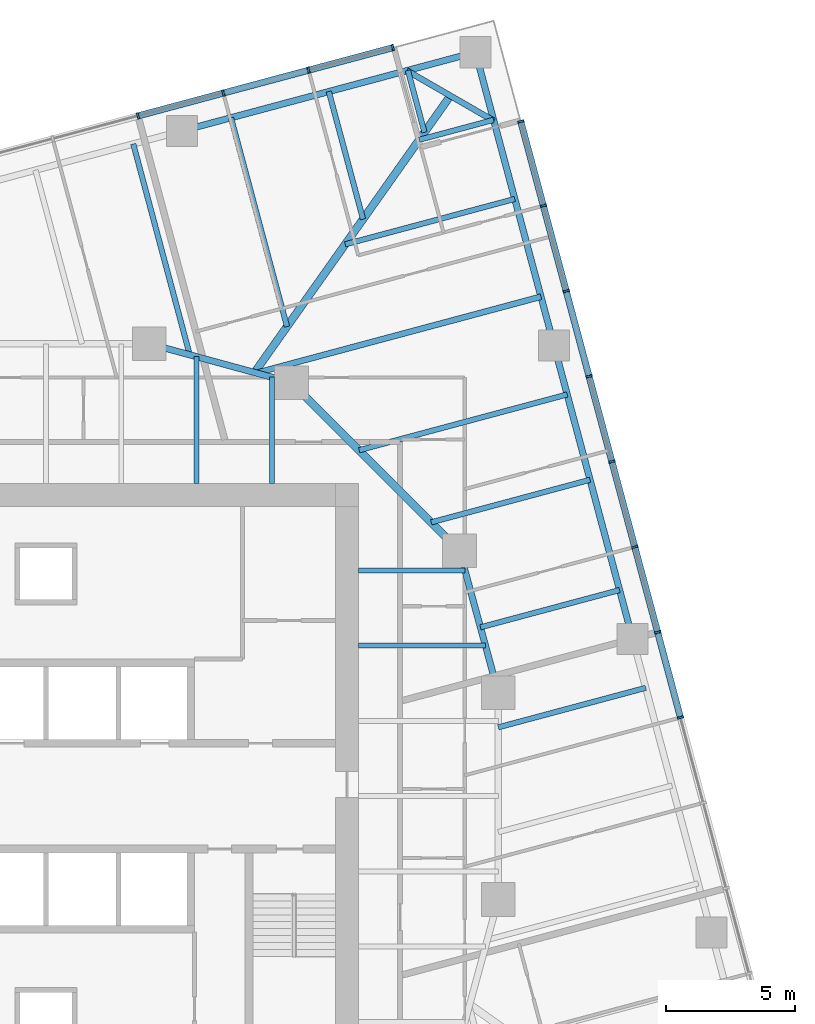
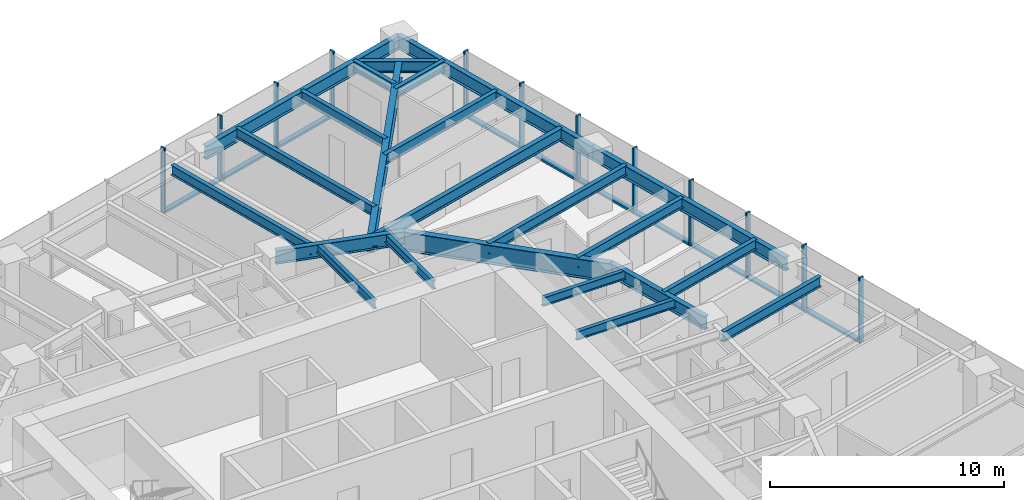
# One storey, part 6 of 14: 23 beams, 22 members, 2 elements without a shape of their own.
"""IFC4 building model written with IfcOpenShell, lengths in metres."""

from ifc_helpers import new_model, si_unit, direction, frame, origin, origin_2d, place, context, subcontext, project, spatial, rectangle, i_section, extrude, material, material_profile, profile_set, type_object, element, aggregate, save


model = new_model("IFC4")

# Units and contexts
model_context = context("Model", 3, precision=1e-05, world=origin(), true_north=direction((0.0, 1.0)))
body_context = subcontext(model_context, "Body", "Model", "MODEL_VIEW")
ifc_project = project(units=[si_unit("LENGTHUNIT", "METRE"), si_unit("AREAUNIT", "SQUARE_METRE"), si_unit("VOLUMEUNIT", "CUBIC_METRE"), si_unit("PLANEANGLEUNIT", "RADIAN"), si_unit("MASSUNIT", "GRAM", prefix="KILO")], contexts=[model_context])

# Site, building, storey
site_placement = place(None, origin())
site = spatial("IfcSite", under=ifc_project, at=site_placement, CompositionType="ELEMENT")
building_placement = place(site_placement, origin())
building = spatial("IfcBuilding", under=site, at=building_placement, Name="Torsade Residences", CompositionType="ELEMENT")
storey_placement = place(building_placement, frame((0.0, 0.0, 125.199951171875)))
storey = spatial("IfcBuildingStorey", under=building, at=storey_placement, Name="L34", CompositionType="ELEMENT", Elevation=125.199951171875)

# Beams
ifc_material_1 = material(Name="Steel grade 300", Category="steel")
ifc_material_profile_1 = material_profile(ifc_material_1, i_section(OverallWidth=0.300048828125, OverallDepth=0.89990234375, WebThickness=0.011962890625, FlangeThickness=0.02490234375, at=origin_2d()), Name="900WB175")
ifc_profile_set_1 = profile_set([ifc_material_profile_1], Name="Steel grade 300")
beam_type_1 = type_object("IfcBeamType", Name="CORNER GIRDER 900WB175", PredefinedType="BEAM", material=ifc_profile_set_1)
beam_1_placement = place(storey_placement, frame((55.644775390625, 57.097412109375, 2.800048828125), z_axis=(-0.577683167004, -0.816261084801, 0.0), x_axis=(0.816261084801, -0.577683167004, 0.0)))
element("IfcBeam", 1, at=beam_1_placement, inside=storey, type_object=beam_type_1, Name="Corner girder 09 L35", PredefinedType="BEAM", context=body_context, shape_type="SweptSolid", body=[
    extrude(i_section(OverallWidth=0.300048828125, OverallDepth=0.89990234375, WebThickness=0.011962890625, FlangeThickness=0.02490234375, at=origin_2d()), origin(), (0.0, 0.0, 1.0), 13.116943359375),
])
ifc_material_2 = material(Name="Steel grade 300", Category="steel")
ifc_material_profile_2 = material_profile(ifc_material_2, i_section(OverallWidth=0.22802734375, OverallDepth=0.60205078125, WebThickness=0.010498046875, FlangeThickness=0.014892578125, FilletRadius=0.013916015625, at=origin_2d()), Name="610UB101")
ifc_profile_set_2 = profile_set([ifc_material_profile_2], Name="Steel grade 300")
beam_type_2 = type_object("IfcBeamType", Name="CORNER TRIMMER 610UB101", PredefinedType="BEAM", material=ifc_profile_set_2)
beam_2_placement = place(storey_placement, frame((53.960693359375, 58.06982421875, 2.948974609375), z_axis=(0.866028782848, -0.499994147244, 0.0), x_axis=(0.499994147244, 0.866028782848, 0.0)))
element("IfcBeam", 2, at=beam_2_placement, inside=storey, type_object=beam_type_2, Name="Corner trimmer 09 L35", PredefinedType="BEAM", context=body_context, shape_type="SweptSolid", body=[
    extrude(i_section(OverallWidth=0.22802734375, OverallDepth=0.60205078125, WebThickness=0.010498046875, FlangeThickness=0.014892578125, FilletRadius=0.013916015625, at=origin_2d()), origin(), (0.0, 0.0, 1.0), 3.88916015625),
])
ifc_material_3 = material(Name="Steel grade 300", Category="steel")
ifc_material_profile_3 = material_profile(ifc_material_3, i_section(OverallWidth=0.25, OverallDepth=0.699951171875, WebThickness=0.010009765625, FlangeThickness=0.02001953125, at=origin_2d()), Name="700WB130")
ifc_profile_set_3 = profile_set([ifc_material_profile_3], Name="Steel grade 300")
beam_type_3 = type_object("IfcBeamType", Name="EDGE BEAM 700WB130", PredefinedType="SPANDREL", material=ifc_profile_set_3)
for number, where, z_axis, x_axis, name in (
    (3, (62.69921875, 36.082275390625, 2.900146484375), (-0.258810863021, 0.965928018634, 0.0), (-0.965928018634, -0.258810863021, 0.0), "Edge beam 07 L35"),
    (4, (59.658203125, 47.431884765625, 2.900146484375), (-0.258830249097, 0.965922824118, 0.0), (-0.965922824118, -0.258830249097, 0.0), "Edge beam 08 L35"),
    (5, (56.616943359375, 58.781494140625, 2.900146484375), (-0.965928018634, -0.258810863021, 0.0), (0.258810863021, -0.965928018634, 0.0), "Edge beam 09 L35"),
):
    element("IfcBeam", number, at=place(storey_placement, frame(where, z_axis=z_axis, x_axis=x_axis)), inside=storey, type_object=beam_type_3, Name=name, PredefinedType="SPANDREL", context=body_context, shape_type="SweptSolid", body=[
        extrude(i_section(OverallWidth=0.25, OverallDepth=0.699951171875, WebThickness=0.010009765625, FlangeThickness=0.02001953125, at=origin_2d()), origin(), (0.0, 0.0, 1.0), 11.75),
    ])
ifc_material_4 = material(Name="Steel grade 300", Category="steel")
ifc_material_profile_4 = material_profile(ifc_material_4, i_section(OverallWidth=0.18994140625, OverallDepth=0.4541015625, WebThickness=0.008544921875, FlangeThickness=0.0126953125, FilletRadius=0.011474609375, at=origin_2d()), Name="460UB67.1")
ifc_profile_set_4 = profile_set([ifc_material_profile_4], Name="Steel grade 300")
beam_type_4 = type_object("IfcBeamType", Name="INNER FLOOR BEAM 460UB67.1", PredefinedType="JOIST", material=ifc_profile_set_4)
beam_3_placement = place(storey_placement, frame((45.824951171875, 42.10009765625, 3.02294921875), z_axis=(0.0, 1.0, 0.0), x_axis=(-1.0, 0.0, 0.0)))
element("IfcBeam", 6, at=beam_3_placement, inside=storey, type_object=beam_type_4, Name="Inner floor beam IN06 L35", PredefinedType="JOIST", context=body_context, shape_type="SweptSolid", body=[
    extrude(i_section(OverallWidth=0.18994140625, OverallDepth=0.4541015625, WebThickness=0.008544921875, FlangeThickness=0.0126953125, FilletRadius=0.011474609375, at=origin_2d()), origin(), (0.0, 0.0, 1.0), 4.902099609375),
])
beam_4_placement = place(storey_placement, frame((48.737548828125, 42.10009765625, 3.02294921875), z_axis=(0.0, 1.0, 0.0), x_axis=(-1.0, 0.0, 0.0)))
element("IfcBeam", 7, at=beam_4_placement, inside=storey, type_object=beam_type_4, Name="Inner floor beam IN07 L35", PredefinedType="JOIST", context=body_context, shape_type="SweptSolid", body=[
    extrude(i_section(OverallWidth=0.18994140625, OverallDepth=0.4541015625, WebThickness=0.008544921875, FlangeThickness=0.0126953125, FilletRadius=0.011474609375, at=origin_2d()), origin(), (0.0, 0.0, 1.0), 4.10791015625),
])
beam_5_placement = place(storey_placement, frame((52.10009765625, 35.824951171875, 3.02294921875), z_axis=(1.0, 0.0, 0.0), x_axis=(0.0, 1.0, 0.0)))
element("IfcBeam", 8, at=beam_5_placement, inside=storey, type_object=beam_type_4, Name="Inner floor beam IE06 L35", PredefinedType="JOIST", context=body_context, shape_type="SweptSolid", body=[
    extrude(i_section(OverallWidth=0.18994140625, OverallDepth=0.4541015625, WebThickness=0.008544921875, FlangeThickness=0.0126953125, FilletRadius=0.011474609375, at=origin_2d()), origin(), (0.0, 0.0, 1.0), 4.902099609375),
])
beam_6_placement = place(storey_placement, frame((52.10009765625, 38.737548828125, 3.02294921875), z_axis=(1.0, 0.0, 0.0), x_axis=(0.0, 1.0, 0.0)))
element("IfcBeam", 9, at=beam_6_placement, inside=storey, type_object=beam_type_4, Name="Inner floor beam IE07 L35", PredefinedType="JOIST", context=body_context, shape_type="SweptSolid", body=[
    extrude(i_section(OverallWidth=0.18994140625, OverallDepth=0.4541015625, WebThickness=0.008544921875, FlangeThickness=0.0126953125, FilletRadius=0.011474609375, at=origin_2d()), origin(), (0.0, 0.0, 1.0), 4.10791015625),
])

# Curtain wall, members
ifc_material_5 = material(Name="Aluminium and glass", Category="aluminium")
curtain_wall_type = type_object("IfcCurtainWallType", Name="FRITTED GLASS CURTAIN WALL MID ZONE", PredefinedType="NOTDEFINED", material=ifc_material_5)
curtain_wall_1_placement = place(storey_placement, origin())
curtain_wall_1 = element("IfcCurtainWall", 10, at=curtain_wall_1_placement, inside=storey, type_object=curtain_wall_type, Name="Curtain wall L34 face 4", PredefinedType="NOTDEFINED")
ifc_material_6 = material(Name="Aluminium mullion", Category="aluminium")
ifc_material_profile_5 = material_profile(ifc_material_6, rectangle(XDim=0.25, YDim=0.080078125, at=origin_2d()), Name="MID ZONE CURTAIN WALL MULLION 250x80")
ifc_profile_set_5 = profile_set([ifc_material_profile_5], Name="Aluminium mullion")
member_type_1 = type_object("IfcMemberType", Name="MID ZONE CURTAIN WALL MULLION 250x80", PredefinedType="MULLION", material=ifc_profile_set_5)
member_1_placement = place(storey_placement, frame((64.549560546875, 33.040771484375, 0.0), z_axis=(0.0, 0.0, 1.0), x_axis=(-0.965925825571, -0.258819047783, 0.0)))
member_1 = element("IfcMember", 11, at=member_1_placement, type_object=member_type_1, Name="Mullion 6", PredefinedType="MULLION", context=body_context, shape_type="SweptSolid", body=[
    extrude(rectangle(XDim=0.25, YDim=0.080078125, at=origin_2d()), origin(), (0.0, 0.0, 1.0), 3.400146484375),
])
member_2_placement = place(storey_placement, frame((63.665283203125, 36.341064453125, 0.0), z_axis=(0.0, 0.0, 1.0), x_axis=(-0.965925825571, -0.258819047783, 0.0)))
member_2 = element("IfcMember", 12, at=member_2_placement, type_object=member_type_1, Name="Mullion 7", PredefinedType="MULLION", context=body_context, shape_type="SweptSolid", body=[
    extrude(rectangle(XDim=0.25, YDim=0.080078125, at=origin_2d()), origin(), (0.0, 0.0, 1.0), 3.400146484375),
])
member_3_placement = place(storey_placement, frame((62.781005859375, 39.641357421875, 0.0), z_axis=(0.0, 0.0, 1.0), x_axis=(-0.965925825571, -0.258819047783, 0.0)))
member_3 = element("IfcMember", 13, at=member_3_placement, type_object=member_type_1, Name="Mullion 8", PredefinedType="MULLION", context=body_context, shape_type="SweptSolid", body=[
    extrude(rectangle(XDim=0.25, YDim=0.080078125, at=origin_2d()), origin(), (0.0, 0.0, 1.0), 3.400146484375),
])
member_4_placement = place(storey_placement, frame((61.896484375, 42.941650390625, 0.0), z_axis=(0.0, 0.0, 1.0), x_axis=(-0.965925825571, -0.258819047783, 0.0)))
member_4 = element("IfcMember", 14, at=member_4_placement, type_object=member_type_1, Name="Mullion 9", PredefinedType="MULLION", context=body_context, shape_type="SweptSolid", body=[
    extrude(rectangle(XDim=0.25, YDim=0.080078125, at=origin_2d()), origin(), (0.0, 0.0, 1.0), 3.400146484375),
])
member_5_placement = place(storey_placement, frame((61.01220703125, 46.24169921875, 0.0), z_axis=(0.0, 0.0, 1.0), x_axis=(-0.965925825571, -0.258819047783, 0.0)))
member_5 = element("IfcMember", 15, at=member_5_placement, type_object=member_type_1, Name="Mullion 10", PredefinedType="MULLION", context=body_context, shape_type="SweptSolid", body=[
    extrude(rectangle(XDim=0.25, YDim=0.080078125, at=origin_2d()), origin(), (0.0, 0.0, 1.0), 3.400146484375),
])
member_6_placement = place(storey_placement, frame((60.1279296875, 49.5419921875, 0.0), z_axis=(0.0, 0.0, 1.0), x_axis=(-0.965925825571, -0.258819047783, 0.0)))
member_6 = element("IfcMember", 16, at=member_6_placement, type_object=member_type_1, Name="Mullion 11", PredefinedType="MULLION", context=body_context, shape_type="SweptSolid", body=[
    extrude(rectangle(XDim=0.25, YDim=0.080078125, at=origin_2d()), origin(), (0.0, 0.0, 1.0), 3.400146484375),
])
member_7_placement = place(storey_placement, frame((59.24365234375, 52.84228515625, 0.0), z_axis=(0.0, 0.0, 1.0), x_axis=(-0.965925825571, -0.258819047783, 0.0)))
member_7 = element("IfcMember", 17, at=member_7_placement, type_object=member_type_1, Name="Mullion 12", PredefinedType="MULLION", context=body_context, shape_type="SweptSolid", body=[
    extrude(rectangle(XDim=0.25, YDim=0.080078125, at=origin_2d()), origin(), (0.0, 0.0, 1.0), 3.400146484375),
])
member_8_placement = place(storey_placement, frame((58.36962890625, 56.10400390625, 0.0), z_axis=(0.0, 0.0, 1.0), x_axis=(-0.965925825571, -0.258819047783, 0.0)))
member_8 = element("IfcMember", 18, at=member_8_placement, type_object=member_type_1, Name="Mullion 13", PredefinedType="MULLION", context=body_context, shape_type="SweptSolid", body=[
    extrude(rectangle(XDim=0.25, YDim=0.080078125, at=origin_2d()), origin(), (0.0, 0.0, 1.0), 3.400146484375),
])

curtain_wall_2_placement = place(storey_placement, origin())
curtain_wall_2 = element("IfcCurtainWall", 19, at=curtain_wall_2_placement, inside=storey, type_object=curtain_wall_type, Name="Curtain wall L34 face 7", PredefinedType="NOTDEFINED")
member_9_placement = place(storey_placement, frame((53.421875, 58.960693359375, 0.0), z_axis=(0.0, 0.0, 1.0), x_axis=(0.258819047783, -0.965925825571, 0.0)))
member_9 = element("IfcMember", 20, at=member_9_placement, type_object=member_type_1, Name="Mullion 1", PredefinedType="MULLION", context=body_context, shape_type="SweptSolid", body=[
    extrude(rectangle(XDim=0.25, YDim=0.080078125, at=origin_2d()), origin(), (0.0, 0.0, 1.0), 3.400146484375),
])
member_10_placement = place(storey_placement, frame((50.16015625, 58.086669921875, 0.0), z_axis=(0.0, 0.0, 1.0), x_axis=(0.258819047783, -0.965925825571, 0.0)))
member_10 = element("IfcMember", 21, at=member_10_placement, type_object=member_type_1, Name="Mullion 2", PredefinedType="MULLION", context=body_context, shape_type="SweptSolid", body=[
    extrude(rectangle(XDim=0.25, YDim=0.080078125, at=origin_2d()), origin(), (0.0, 0.0, 1.0), 3.400146484375),
])
member_11_placement = place(storey_placement, frame((46.85986328125, 57.202392578125, 0.0), z_axis=(0.0, 0.0, 1.0), x_axis=(0.258819047783, -0.965925825571, 0.0)))
member_11 = element("IfcMember", 22, at=member_11_placement, type_object=member_type_1, Name="Mullion 3", PredefinedType="MULLION", context=body_context, shape_type="SweptSolid", body=[
    extrude(rectangle(XDim=0.25, YDim=0.080078125, at=origin_2d()), origin(), (0.0, 0.0, 1.0), 3.400146484375),
])
member_12_placement = place(storey_placement, frame((43.5595703125, 56.318115234375, 0.0), z_axis=(0.0, 0.0, 1.0), x_axis=(0.258819047783, -0.965925825571, 0.0)))
member_12 = element("IfcMember", 23, at=member_12_placement, type_object=member_type_1, Name="Mullion 4", PredefinedType="MULLION", context=body_context, shape_type="SweptSolid", body=[
    extrude(rectangle(XDim=0.25, YDim=0.080078125, at=origin_2d()), origin(), (0.0, 0.0, 1.0), 3.400146484375),
])

# Member
ifc_material_7 = material(Name="Aluminium transom", Category="aluminium")
ifc_material_profile_6 = material_profile(ifc_material_7, rectangle(XDim=0.25, YDim=0.110107421875, at=origin_2d()), Name="MID ZONE CURTAIN WALL TRANSOM 250x110")
ifc_profile_set_6 = profile_set([ifc_material_profile_6], Name="Aluminium transom")
member_type_2 = type_object("IfcMemberType", Name="MID ZONE CURTAIN WALL TRANSOM 250x110", PredefinedType="USERDEFINED", material=ifc_profile_set_6)
member_13_placement = place(storey_placement, frame((64.5390625, 33.079345703125, 0.054931640625), z_axis=(-0.258787285653, 0.965934335648, 0.0), x_axis=(-0.965934335648, -0.258787285653, 0.0)))
member_13 = element("IfcMember", 24, at=member_13_placement, type_object=member_type_2, Name="Transom 6.1", ObjectType="TRANSOM", PredefinedType="USERDEFINED", context=body_context, shape_type="SweptSolid", body=[
    extrude(rectangle(XDim=0.25, YDim=0.110107421875, at=origin_2d()), origin(), (0.0, 0.0, 1.0), 3.3369140625),
])

member_14_placement = place(storey_placement, frame((63.65478515625, 36.379638671875, 0.054931640625), z_axis=(-0.258787285653, 0.965934335648, 0.0), x_axis=(-0.965934335648, -0.258787285653, 0.0)))
member_14 = element("IfcMember", 25, at=member_14_placement, type_object=member_type_2, Name="Transom 7.1", ObjectType="TRANSOM", PredefinedType="USERDEFINED", context=body_context, shape_type="SweptSolid", body=[
    extrude(rectangle(XDim=0.25, YDim=0.110107421875, at=origin_2d()), origin(), (0.0, 0.0, 1.0), 3.3369140625),
])

member_15_placement = place(storey_placement, frame((62.7705078125, 39.679931640625, 0.054931640625), z_axis=(-0.258805576255, 0.965929435155, 0.0), x_axis=(-0.965929435155, -0.258805576255, 0.0)))
member_15 = element("IfcMember", 26, at=member_15_placement, type_object=member_type_2, Name="Transom 8.1", ObjectType="TRANSOM", PredefinedType="USERDEFINED", context=body_context, shape_type="SweptSolid", body=[
    extrude(rectangle(XDim=0.25, YDim=0.110107421875, at=origin_2d()), origin(), (0.0, 0.0, 1.0), 3.336669921875),
])

member_16_placement = place(storey_placement, frame((61.88623046875, 42.980224609375, 0.054931640625), z_axis=(-0.258805576255, 0.965929435155, 0.0), x_axis=(-0.965929435155, -0.258805576255, 0.0)))
member_16 = element("IfcMember", 27, at=member_16_placement, type_object=member_type_2, Name="Transom 9.1", ObjectType="TRANSOM", PredefinedType="USERDEFINED", context=body_context, shape_type="SweptSolid", body=[
    extrude(rectangle(XDim=0.25, YDim=0.110107421875, at=origin_2d()), origin(), (0.0, 0.0, 1.0), 3.336669921875),
])

member_17_placement = place(storey_placement, frame((61.001953125, 46.280517578125, 0.054931640625), z_axis=(-0.258805576255, 0.965929435155, 0.0), x_axis=(-0.965929435155, -0.258805576255, 0.0)))
member_17 = element("IfcMember", 28, at=member_17_placement, type_object=member_type_2, Name="Transom 10.1", ObjectType="TRANSOM", PredefinedType="USERDEFINED", context=body_context, shape_type="SweptSolid", body=[
    extrude(rectangle(XDim=0.25, YDim=0.110107421875, at=origin_2d()), origin(), (0.0, 0.0, 1.0), 3.336669921875),
])

member_18_placement = place(storey_placement, frame((60.11767578125, 49.580810546875, 0.054931640625), z_axis=(-0.258805576255, 0.965929435155, 0.0), x_axis=(-0.965929435155, -0.258805576255, 0.0)))
member_18 = element("IfcMember", 29, at=member_18_placement, type_object=member_type_2, Name="Transom 11.1", ObjectType="TRANSOM", PredefinedType="USERDEFINED", context=body_context, shape_type="SweptSolid", body=[
    extrude(rectangle(XDim=0.25, YDim=0.110107421875, at=origin_2d()), origin(), (0.0, 0.0, 1.0), 3.336669921875),
])

member_19_placement = place(storey_placement, frame((59.2333984375, 52.880859375, 0.054931640625), z_axis=(-0.258828627534, 0.965923258633, 0.0), x_axis=(-0.965923258633, -0.258828627534, 0.0)))
member_19 = element("IfcMember", 30, at=member_19_placement, type_object=member_type_2, Name="Transom 12.1", ObjectType="TRANSOM", PredefinedType="USERDEFINED", context=body_context, shape_type="SweptSolid", body=[
    extrude(rectangle(XDim=0.25, YDim=0.110107421875, at=origin_2d()), origin(), (0.0, 0.0, 1.0), 3.296630859375),
])

aggregate(curtain_wall_1, [member_1, member_2, member_3, member_4, member_5, member_6, member_7, member_8, member_13, member_14, member_15, member_16, member_17, member_18, member_19])

member_20_placement = place(storey_placement, frame((53.383056640625, 58.9501953125, 0.054931640625), z_axis=(-0.965923258633, -0.258828627534, 0.0), x_axis=(0.258828627534, -0.965923258633, 0.0)))
member_20 = element("IfcMember", 31, at=member_20_placement, type_object=member_type_2, Name="Transom 1.1", ObjectType="TRANSOM", PredefinedType="USERDEFINED", context=body_context, shape_type="SweptSolid", body=[
    extrude(rectangle(XDim=0.25, YDim=0.110107421875, at=origin_2d()), origin(), (0.0, 0.0, 1.0), 3.296630859375),
])

member_21_placement = place(storey_placement, frame((50.12158203125, 58.076416015625, 0.054931640625), z_axis=(-0.965916044226, -0.258855549498, 0.0), x_axis=(0.258855549498, -0.965916044226, 0.0)))
member_21 = element("IfcMember", 32, at=member_21_placement, type_object=member_type_2, Name="Transom 2.1", ObjectType="TRANSOM", PredefinedType="USERDEFINED", context=body_context, shape_type="SweptSolid", body=[
    extrude(rectangle(XDim=0.25, YDim=0.110107421875, at=origin_2d()), origin(), (0.0, 0.0, 1.0), 3.3369140625),
])

member_22_placement = place(storey_placement, frame((46.8212890625, 57.192138671875, 0.054931640625), z_axis=(-0.96591114124, -0.258873844232, 0.0), x_axis=(0.258873844232, -0.96591114124, 0.0)))
member_22 = element("IfcMember", 33, at=member_22_placement, type_object=member_type_2, Name="Transom 3.1", ObjectType="TRANSOM", PredefinedType="USERDEFINED", context=body_context, shape_type="SweptSolid", body=[
    extrude(rectangle(XDim=0.25, YDim=0.110107421875, at=origin_2d()), origin(), (0.0, 0.0, 1.0), 3.336669921875),
])

aggregate(curtain_wall_2, [member_9, member_10, member_11, member_12, member_20, member_21, member_22])

# Beams
ifc_material_8 = material(Name="Steel grade 300", Category="steel")
ifc_material_profile_7 = material_profile(ifc_material_8, i_section(OverallWidth=0.300048828125, OverallDepth=1.0, WebThickness=0.01611328125, FlangeThickness=0.028076171875, at=origin_2d()), Name="1000WB215")
ifc_profile_set_7 = profile_set([ifc_material_profile_7], Name="Steel grade 300")
beam_type_5 = type_object("IfcBeamType", Name="RING CORNER GIRDER 1000WB215", PredefinedType="BEAM", material=ifc_profile_set_7)
beam_7_placement = place(storey_placement, frame((56.0, 39.5, 2.75), z_axis=(-0.707106781187, 0.707106781187, 0.0), x_axis=(-0.707106781187, -0.707106781187, 0.0)))
element("IfcBeam", 34, at=beam_7_placement, inside=storey, type_object=beam_type_5, Name="Ring girder IR03 L35", PredefinedType="BEAM", context=body_context, shape_type="SweptSolid", body=[
    extrude(i_section(OverallWidth=0.300048828125, OverallDepth=1.0, WebThickness=0.01611328125, FlangeThickness=0.028076171875, at=origin_2d()), origin(), (0.0, 0.0, 1.0), 9.1923828125),
])
ifc_material_9 = material(Name="Steel grade 300", Category="steel")
ifc_material_profile_8 = material_profile(ifc_material_9, i_section(OverallWidth=0.25, OverallDepth=0.699951171875, WebThickness=0.010009765625, FlangeThickness=0.02001953125, at=origin_2d()), Name="700WB130")
ifc_profile_set_8 = profile_set([ifc_material_profile_8], Name="Steel grade 300")
beam_type_6 = type_object("IfcBeamType", Name="RING GIRDER 700WB130", PredefinedType="BEAM", material=ifc_profile_set_8)
for number, where, z_axis, x_axis, name in (
    (35, (57.5, 34.0, 2.900146484375), (-0.263117405792, 0.964763821238, 0.0), (-0.964763821238, -0.263117405792, 0.0), "Ring girder IR02 L35"),
    (36, (49.5, 46.0, 2.900146484375), (-0.964763821238, 0.263117405792, 0.0), (-0.263117405792, -0.964763821238, 0.0), "Ring girder IR04 L35"),
):
    element("IfcBeam", number, at=place(storey_placement, frame(where, z_axis=z_axis, x_axis=x_axis)), inside=storey, type_object=beam_type_6, Name=name, PredefinedType="BEAM", context=body_context, shape_type="SweptSolid", body=[
        extrude(i_section(OverallWidth=0.25, OverallDepth=0.699951171875, WebThickness=0.010009765625, FlangeThickness=0.02001953125, at=origin_2d()), origin(), (0.0, 0.0, 1.0), 5.700927734375),
    ])
ifc_material_10 = material(Name="Steel grade 300", Category="steel")
ifc_material_profile_9 = material_profile(ifc_material_10, i_section(OverallWidth=0.208984375, OverallDepth=0.528076171875, WebThickness=0.009521484375, FlangeThickness=0.01318359375, FilletRadius=0.013916015625, at=origin_2d()), Name="530UB82.0")
ifc_profile_set_9 = profile_set([ifc_material_profile_9], Name="Steel grade 300")
beam_type_7 = type_object("IfcBeamType", Name="SECONDARY BEAM 530UB82.0", PredefinedType="JOIST", material=ifc_profile_set_9)
beam_8_placement = place(storey_placement, frame((63.2060546875, 34.190673828125, 2.986083984375), z_axis=(-0.965920748174, -0.258837996141, 0.0), x_axis=(0.258837996141, -0.965920748174, 0.0)))
element("IfcBeam", 37, at=beam_8_placement, inside=storey, type_object=beam_type_7, Name="Floor beam FE06 L35", PredefinedType="JOIST", context=body_context, shape_type="SweptSolid", body=[
    extrude(i_section(OverallWidth=0.208984375, OverallDepth=0.528076171875, WebThickness=0.009521484375, FlangeThickness=0.01318359375, FilletRadius=0.013916015625, at=origin_2d()), origin(), (0.0, 0.0, 1.0), 5.907470703125),
])
beam_9_placement = place(storey_placement, frame((62.1923828125, 37.973876953125, 2.986083984375), z_axis=(-0.965923020144, -0.258829517553, 0.0), x_axis=(0.258829517553, -0.965923020144, 0.0)))
element("IfcBeam", 38, at=beam_9_placement, inside=storey, type_object=beam_type_7, Name="Floor beam FE07 L35", PredefinedType="JOIST", context=body_context, shape_type="SweptSolid", body=[
    extrude(i_section(OverallWidth=0.208984375, OverallDepth=0.528076171875, WebThickness=0.009521484375, FlangeThickness=0.01318359375, FilletRadius=0.013916015625, at=origin_2d()), origin(), (0.0, 0.0, 1.0), 5.57275390625),
])
beam_10_placement = place(storey_placement, frame((61.04931640625, 42.239990234375, 2.986083984375), z_axis=(-0.965929717932, -0.258804520856, 0.0), x_axis=(0.258804520856, -0.965929717932, 0.0)))
element("IfcBeam", 39, at=beam_10_placement, inside=storey, type_object=beam_type_7, Name="Floor beam FE08 L35", PredefinedType="JOIST", context=body_context, shape_type="SweptSolid", body=[
    extrude(i_section(OverallWidth=0.208984375, OverallDepth=0.528076171875, WebThickness=0.009521484375, FlangeThickness=0.01318359375, FilletRadius=0.013916015625, at=origin_2d()), origin(), (0.0, 0.0, 1.0), 6.360107421875),
])
beam_11_placement = place(storey_placement, frame((60.1650390625, 45.540283203125, 2.986083984375), z_axis=(-0.96592202475, -0.258833232221, 0.0), x_axis=(0.258833232221, -0.96592202475, 0.0)))
element("IfcBeam", 40, at=beam_11_placement, inside=storey, type_object=beam_type_7, Name="Floor beam FE09 L35", PredefinedType="JOIST", context=body_context, shape_type="SweptSolid", body=[
    extrude(i_section(OverallWidth=0.208984375, OverallDepth=0.528076171875, WebThickness=0.009521484375, FlangeThickness=0.01318359375, FilletRadius=0.013916015625, at=origin_2d()), origin(), (0.0, 0.0, 1.0), 8.33251953125),
])
beam_12_placement = place(storey_placement, frame((58.137451171875, 53.106689453125, 2.986083984375), z_axis=(-0.965927035229, -0.258814533235, 0.0), x_axis=(0.258814533235, -0.965927035229, 0.0)))
element("IfcBeam", 41, at=beam_12_placement, inside=storey, type_object=beam_type_7, Name="Floor beam FE11 L35", PredefinedType="JOIST", context=body_context, shape_type="SweptSolid", body=[
    extrude(i_section(OverallWidth=0.208984375, OverallDepth=0.528076171875, WebThickness=0.009521484375, FlangeThickness=0.01318359375, FilletRadius=0.013916015625, at=origin_2d()), origin(), (0.0, 0.0, 1.0), 6.792724609375),
])
beam_13_placement = place(storey_placement, frame((57.31787109375, 56.16552734375, 2.986083984375), z_axis=(-0.965913310475, -0.258865750242, 0.0), x_axis=(0.258865750242, -0.965913310475, 0.0)))
element("IfcBeam", 42, at=beam_13_placement, inside=storey, type_object=beam_type_7, Name="Floor beam FE12 L35", PredefinedType="JOIST", context=body_context, shape_type="SweptSolid", body=[
    extrude(i_section(OverallWidth=0.208984375, OverallDepth=0.528076171875, WebThickness=0.009521484375, FlangeThickness=0.01318359375, FilletRadius=0.013916015625, at=origin_2d()), origin(), (0.0, 0.0, 1.0), 2.980224609375),
])
beam_14_placement = place(storey_placement, frame((54.0009765625, 58.08056640625, 2.986083984375), z_axis=(0.258837674225, -0.965920834438, 0.0), x_axis=(0.965920834438, 0.258837674225, 0.0)))
element("IfcBeam", 43, at=beam_14_placement, inside=storey, type_object=beam_type_7, Name="Floor beam FN01 L35", PredefinedType="JOIST", context=body_context, shape_type="SweptSolid", body=[
    extrude(i_section(OverallWidth=0.208984375, OverallDepth=0.528076171875, WebThickness=0.009521484375, FlangeThickness=0.01318359375, FilletRadius=0.013916015625, at=origin_2d()), origin(), (0.0, 0.0, 1.0), 2.482666015625),
])
beam_15_placement = place(storey_placement, frame((50.942138671875, 57.260986328125, 2.986083984375), z_axis=(0.258815647274, -0.965926736728, 0.0), x_axis=(0.965926736728, 0.258815647274, 0.0)))
element("IfcBeam", 44, at=beam_15_placement, inside=storey, type_object=beam_type_7, Name="Floor beam FN02 L35", PredefinedType="JOIST", context=body_context, shape_type="SweptSolid", body=[
    extrude(i_section(OverallWidth=0.208984375, OverallDepth=0.528076171875, WebThickness=0.009521484375, FlangeThickness=0.01318359375, FilletRadius=0.013916015625, at=origin_2d()), origin(), (0.0, 0.0, 1.0), 5.11279296875),
])
beam_16_placement = place(storey_placement, frame((47.158935546875, 56.247314453125, 2.986083984375), z_axis=(0.258823120582, -0.965924734258, 0.0), x_axis=(0.965924734258, 0.258823120582, 0.0)))
element("IfcBeam", 45, at=beam_16_placement, inside=storey, type_object=beam_type_7, Name="Floor beam FN03 L35", PredefinedType="JOIST", context=body_context, shape_type="SweptSolid", body=[
    extrude(i_section(OverallWidth=0.208984375, OverallDepth=0.528076171875, WebThickness=0.009521484375, FlangeThickness=0.01318359375, FilletRadius=0.013916015625, at=origin_2d()), origin(), (0.0, 0.0, 1.0), 8.365966796875),
])
beam_17_placement = place(storey_placement, frame((43.375732421875, 55.233642578125, 2.986083984375), z_axis=(0.258808315464, -0.965928701223, 0.0), x_axis=(0.965928701223, 0.258808315464, 0.0)))
element("IfcBeam", 46, at=beam_17_placement, inside=storey, type_object=beam_type_7, Name="Floor beam FN04 L35", PredefinedType="JOIST", context=body_context, shape_type="SweptSolid", body=[
    extrude(i_section(OverallWidth=0.208984375, OverallDepth=0.528076171875, WebThickness=0.009521484375, FlangeThickness=0.01318359375, FilletRadius=0.013916015625, at=origin_2d()), origin(), (0.0, 0.0, 1.0), 8.447509765625),
])
ifc_material_11 = material(Name="Steel grade 300", Category="steel")
ifc_material_profile_10 = material_profile(ifc_material_11, i_section(OverallWidth=0.22900390625, OverallDepth=0.612060546875, WebThickness=0.011962890625, FlangeThickness=0.01953125, FilletRadius=0.013916015625, at=origin_2d()), Name="610UB125")
ifc_profile_set_10 = profile_set([ifc_material_profile_10], Name="Steel grade 300")
beam_type_8 = type_object("IfcBeamType", Name="SECONDARY BEAM 610UB125", PredefinedType="JOIST", material=ifc_profile_set_10)
beam_18_placement = place(storey_placement, frame((59.1513671875, 49.323486328125, 2.944091796875), z_axis=(-0.965929035417, -0.258807068179, 0.0), x_axis=(0.258807068179, -0.965929035417, 0.0)))
element("IfcBeam", 47, at=beam_18_placement, inside=storey, type_object=beam_type_8, Name="Floor beam FE10 L35", PredefinedType="JOIST", context=body_context, shape_type="SweptSolid", body=[
    extrude(i_section(OverallWidth=0.22900390625, OverallDepth=0.612060546875, WebThickness=0.011962890625, FlangeThickness=0.01953125, FilletRadius=0.013916015625, at=origin_2d()), origin(), (0.0, 0.0, 1.0), 11.40380859375),
])

save(model, "model.ifc")
